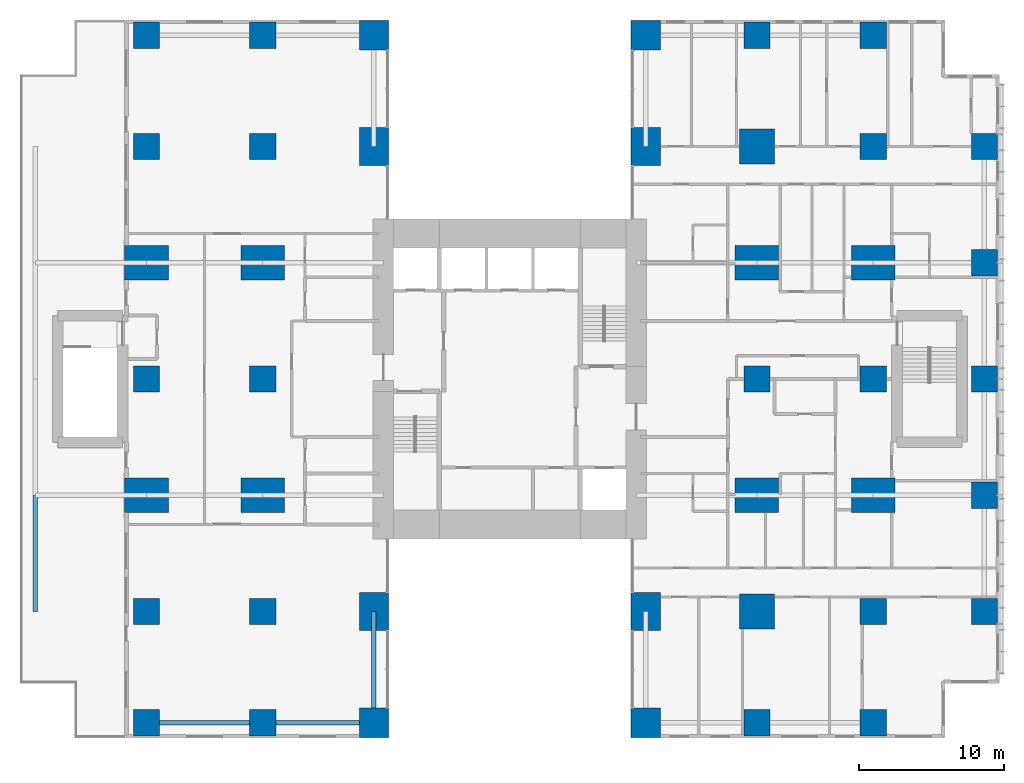
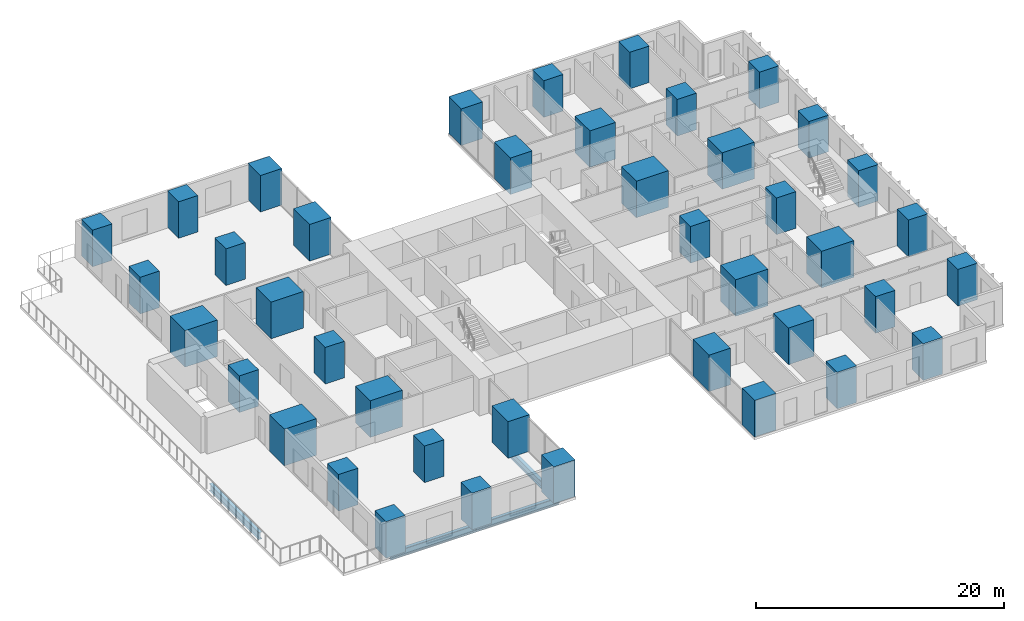
# One storey, part 1 of 16: 41 columns, 4 beams.
"""IFC4 building model written with IfcOpenShell, lengths in metres."""

from ifc_helpers import new_model, si_unit, direction, frame, origin, origin_2d, place, context, subcontext, project, spatial, rectangle, i_section, extrude, material, material_profile, profile_set, type_object, element, save


model = new_model("IFC4")

# Units and contexts
model_context = context("Model", 3, precision=1e-05, world=origin(), true_north=direction((0.0, 1.0)))
body_context = subcontext(model_context, "Body", "Model", "MODEL_VIEW")
ifc_project = project(units=[si_unit("LENGTHUNIT", "METRE"), si_unit("AREAUNIT", "SQUARE_METRE"), si_unit("VOLUMEUNIT", "CUBIC_METRE"), si_unit("PLANEANGLEUNIT", "RADIAN"), si_unit("MASSUNIT", "GRAM", prefix="KILO")], contexts=[model_context])

# Site, building, storey
site_placement = place(None, origin())
site = spatial("IfcSite", under=ifc_project, at=site_placement, CompositionType="ELEMENT")
building_placement = place(site_placement, origin())
building = spatial("IfcBuilding", under=site, at=building_placement, Name="Cleftline Residences", CompositionType="ELEMENT")
storey_placement = place(building_placement, frame((0.0, 0.0, 218.199951171875)))
storey = spatial("IfcBuildingStorey", under=building, at=storey_placement, Name="L57", CompositionType="ELEMENT", Elevation=218.199951171875)

# Columns
ifc_material_1 = material(Name="Concrete B70", Category="concrete")
ifc_material_profile_1 = material_profile(ifc_material_1, rectangle(XDim=1.800048828125, YDim=1.800048828125, at=origin_2d()))
ifc_profile_set_1 = profile_set([ifc_material_profile_1], Name="Concrete B70")
column_type_1 = type_object("IfcColumnType", Name="COLUMN RC1800X1800", PredefinedType="COLUMN", material=ifc_profile_set_1)
for number, where, z_axis, x_axis, name in (
    (1, (8.0, 0.35009765625, 0.0), (0.0, 0.0, 1.0), (1.0, 0.0, 0.0), "Column C/4"),
    (2, (8.0, 8.0, 0.0), (0.0, 0.0, 1.0), (1.0, 0.0, 0.0), "Column D/4"),
    (3, (8.0, 24.0, 0.0), (0.0, 0.0, 1.0), (1.0, 0.0, 0.0), "Column F/4"),
    (4, (8.0, 40.0, 0.0), (0.0, 0.0, 1.0), (1.0, 0.0, 0.0), "Column H/4"),
    (5, (8.0, 47.64990234375, 0.0), (0.0, 0.0, 1.0), (1.0, 0.0, 0.0), "Column J/4"),
    (6, (16.0, 0.35009765625, 0.0), (0.0, 0.0, 1.0), (1.0, 0.0, 0.0), "Column C/5"),
    (7, (16.0, 8.0, 0.0), (0.0, 0.0, 1.0), (1.0, 0.0, 0.0), "Column D/5"),
    (8, (16.0, 24.0, 0.0), (0.0, 0.0, 1.0), (1.0, 0.0, 0.0), "Column F/5"),
    (9, (16.0, 40.0, 0.0), (0.0, 0.0, 1.0), (1.0, 0.0, 0.0), "Column H/5"),
    (10, (16.0, 47.64990234375, 0.0), (0.0, 0.0, 1.0), (1.0, 0.0, 0.0), "Column J/5"),
    (11, (50.0, 0.35009765625, 0.0), (0.0, 0.0, 1.0), (1.0, 0.0, 0.0), "Column C/9"),
    (12, (50.0, 24.0, 0.0), (0.0, 0.0, 1.0), (1.0, 0.0, 0.0), "Column F/9"),
    (13, (50.0, 47.64990234375, 0.0), (0.0, 0.0, 1.0), (1.0, 0.0, 0.0), "Column J/9"),
    (14, (58.0, 0.35009765625, 0.0), (0.0, 0.0, 1.0), (1.0, 0.0, 0.0), "Column C/10"),
    (15, (58.0, 8.0, 0.0), (0.0, 0.0, 1.0), (1.0, 0.0, 0.0), "Column D/10"),
    (16, (58.0, 24.0, 0.0), (0.0, 0.0, 1.0), (1.0, 0.0, 0.0), "Column F/10"),
    (17, (58.0, 40.0, 0.0), (0.0, 0.0, 1.0), (1.0, 0.0, 0.0), "Column H/10"),
    (18, (58.0, 47.64990234375, 0.0), (0.0, 0.0, 1.0), (1.0, 0.0, 0.0), "Column J/10"),
    (19, (65.64990234375, 8.0, 0.0), (0.0, 0.0, 1.0), (1.0, 0.0, 0.0), "Column D/11"),
    (20, (65.64990234375, 16.0, 0.0), (0.0, 0.0, 1.0), (1.0, 0.0, 0.0), "Column E/11"),
    (21, (65.64990234375, 24.0, 0.0), (0.0, 0.0, 1.0), (1.0, 0.0, 0.0), "Column F/11"),
    (22, (65.64990234375, 32.0, 0.0), (0.0, 0.0, 1.0), (1.0, 0.0, 0.0), "Column G/11"),
    (23, (65.64990234375, 40.0, 0.0), (0.0, 0.0, 1.0), (1.0, 0.0, 0.0), "Column H/11"),
):
    element("IfcColumn", number, at=place(storey_placement, frame(where, z_axis=z_axis, x_axis=x_axis)), inside=storey, type_object=column_type_1, Name=name, PredefinedType="COLUMN", context=body_context, shape_type="SweptSolid", body=[
        extrude(rectangle(XDim=1.800048828125, YDim=1.800048828125, at=origin_2d()), origin(), (0.0, 0.0, 1.0), 3.60009765625),
    ])
ifc_material_2 = material(Name="Concrete B70", Category="concrete")
ifc_material_profile_2 = material_profile(ifc_material_2, rectangle(XDim=2.0, YDim=2.0, at=origin_2d()))
ifc_profile_set_2 = profile_set([ifc_material_profile_2], Name="Concrete B70")
column_type_2 = type_object("IfcColumnType", Name="COLUMN RC2000X2000", PredefinedType="COLUMN", material=ifc_profile_set_2)
for number, where, z_axis, x_axis, name in (
    (24, (23.64990234375, 0.35009765625, 0.0), (0.0, 0.0, 1.0), (1.0, 0.0, 0.0), "Column C/6"),
    (25, (23.64990234375, 47.64990234375, 0.0), (0.0, 0.0, 1.0), (1.0, 0.0, 0.0), "Column J/6"),
    (26, (42.35009765625, 0.35009765625, 0.0), (0.0, 0.0, 1.0), (1.0, 0.0, 0.0), "Column C/8"),
    (27, (42.35009765625, 47.64990234375, 0.0), (0.0, 0.0, 1.0), (1.0, 0.0, 0.0), "Column J/8"),
):
    element("IfcColumn", number, at=place(storey_placement, frame(where, z_axis=z_axis, x_axis=x_axis)), inside=storey, type_object=column_type_2, Name=name, PredefinedType="COLUMN", context=body_context, shape_type="SweptSolid", body=[
        extrude(rectangle(XDim=2.0, YDim=2.0, at=origin_2d()), origin(), (0.0, 0.0, 1.0), 3.60009765625),
    ])
ifc_material_3 = material(Name="Concrete B70", Category="concrete")
ifc_material_profile_3 = material_profile(ifc_material_3, rectangle(XDim=2.0, YDim=2.60009765625, at=origin_2d()))
ifc_profile_set_3 = profile_set([ifc_material_profile_3], Name="Concrete B70")
column_type_3 = type_object("IfcColumnType", Name="COLUMN RC2000X2600", PredefinedType="COLUMN", material=ifc_profile_set_3)
for number, where, z_axis, x_axis, name in (
    (28, (23.64990234375, 8.0, 0.0), (0.0, 0.0, 1.0), (1.0, 0.0, 0.0), "Column D/6"),
    (29, (23.64990234375, 40.0, 0.0), (0.0, 0.0, 1.0), (1.0, 0.0, 0.0), "Column H/6"),
    (30, (42.35009765625, 8.0, 0.0), (0.0, 0.0, 1.0), (1.0, 0.0, 0.0), "Column D/8"),
    (31, (42.35009765625, 40.0, 0.0), (0.0, 0.0, 1.0), (1.0, 0.0, 0.0), "Column H/8"),
):
    element("IfcColumn", number, at=place(storey_placement, frame(where, z_axis=z_axis, x_axis=x_axis)), inside=storey, type_object=column_type_3, Name=name, PredefinedType="COLUMN", context=body_context, shape_type="SweptSolid", body=[
        extrude(rectangle(XDim=2.0, YDim=2.60009765625, at=origin_2d()), origin(), (0.0, 0.0, 1.0), 3.60009765625),
    ])
ifc_material_4 = material(Name="Concrete B70", Category="concrete")
ifc_material_profile_4 = material_profile(ifc_material_4, rectangle(XDim=2.39990234375, YDim=2.39990234375, at=origin_2d()))
ifc_profile_set_4 = profile_set([ifc_material_profile_4], Name="Concrete B70")
column_type_4 = type_object("IfcColumnType", Name="COLUMN RC2400X2400", PredefinedType="COLUMN", material=ifc_profile_set_4)
for number, where, z_axis, x_axis, name in (
    (32, (50.0, 8.0, 0.0), (0.0, 0.0, 1.0), (1.0, 0.0, 0.0), "Column D/9"),
    (33, (50.0, 40.0, 0.0), (0.0, 0.0, 1.0), (1.0, 0.0, 0.0), "Column H/9"),
):
    element("IfcColumn", number, at=place(storey_placement, frame(where, z_axis=z_axis, x_axis=x_axis)), inside=storey, type_object=column_type_4, Name=name, PredefinedType="COLUMN", context=body_context, shape_type="SweptSolid", body=[
        extrude(rectangle(XDim=2.39990234375, YDim=2.39990234375, at=origin_2d()), origin(), (0.0, 0.0, 1.0), 3.60009765625),
    ])
ifc_material_5 = material(Name="Concrete B70", Category="concrete")
ifc_material_profile_5 = material_profile(ifc_material_5, rectangle(XDim=3.0, YDim=2.39990234375, at=origin_2d()))
ifc_profile_set_5 = profile_set([ifc_material_profile_5], Name="Concrete B70")
column_type_5 = type_object("IfcColumnType", Name="COLUMN RC3000X2400", PredefinedType="COLUMN", material=ifc_profile_set_5)
for number, where, z_axis, x_axis, name in (
    (34, (8.0, 16.0, 0.0), (0.0, 0.0, 1.0), (1.0, 0.0, 0.0), "Column E/4"),
    (35, (8.0, 32.0, 0.0), (0.0, 0.0, 1.0), (1.0, 0.0, 0.0), "Column G/4"),
    (36, (16.0, 16.0, 0.0), (0.0, 0.0, 1.0), (1.0, 0.0, 0.0), "Column E/5"),
    (37, (16.0, 32.0, 0.0), (0.0, 0.0, 1.0), (1.0, 0.0, 0.0), "Column G/5"),
    (38, (50.0, 16.0, 0.0), (0.0, 0.0, 1.0), (1.0, 0.0, 0.0), "Column E/9"),
    (39, (50.0, 32.0, 0.0), (0.0, 0.0, 1.0), (1.0, 0.0, 0.0), "Column G/9"),
    (40, (58.0, 16.0, 0.0), (0.0, 0.0, 1.0), (1.0, 0.0, 0.0), "Column E/10"),
    (41, (58.0, 32.0, 0.0), (0.0, 0.0, 1.0), (1.0, 0.0, 0.0), "Column G/10"),
):
    element("IfcColumn", number, at=place(storey_placement, frame(where, z_axis=z_axis, x_axis=x_axis)), inside=storey, type_object=column_type_5, Name=name, PredefinedType="COLUMN", context=body_context, shape_type="SweptSolid", body=[
        extrude(rectangle(XDim=3.0, YDim=2.39990234375, at=origin_2d()), origin(), (0.0, 0.0, 1.0), 3.60009765625),
    ])

# Beams
ifc_material_6 = material(Name="Steel S355", Category="steel")
ifc_material_profile_6 = material_profile(ifc_material_6, i_section(OverallWidth=0.300048828125, OverallDepth=0.699951171875, WebThickness=0.01708984375, FlangeThickness=0.031982421875, FilletRadius=0.027099609375, at=origin_2d()))
ifc_profile_set_6 = profile_set([ifc_material_profile_6], Name="Steel S355")
beam_type = type_object("IfcBeamType", Name="BEAM HEB 700", PredefinedType="BEAM", material=ifc_profile_set_6)
for number, where, z_axis, x_axis, name in (
    (42, (0.35009765625, 8.0, -0.599853515625), (0.0, 1.0, 0.0), (-1.0, 0.0, 0.0), "Edge beam"),
    (43, (8.0, 0.35009765625, -0.599853515625), (1.0, 0.0, 0.0), (0.0, 1.0, 0.0), "Edge beam"),
):
    element("IfcBeam", number, at=place(storey_placement, frame(where, z_axis=z_axis, x_axis=x_axis)), inside=storey, type_object=beam_type, Name=name, PredefinedType="BEAM", context=body_context, shape_type="SweptSolid", body=[
        extrude(i_section(OverallWidth=0.300048828125, OverallDepth=0.699951171875, WebThickness=0.01708984375, FlangeThickness=0.031982421875, FilletRadius=0.027099609375, at=origin_2d()), origin(), (0.0, 0.0, 1.0), 8.0),
    ])
for number, where, z_axis, x_axis, name in (
    (44, (16.0, 0.35009765625, -0.599853515625), (1.0, 0.0, 0.0), (0.0, 1.0, 0.0), "Edge beam"),
    (45, (23.64990234375, 0.35009765625, -0.599853515625), (0.0, 1.0, 0.0), (-1.0, 0.0, 0.0), "Edge beam"),
):
    element("IfcBeam", number, at=place(storey_placement, frame(where, z_axis=z_axis, x_axis=x_axis)), inside=storey, type_object=beam_type, Name=name, PredefinedType="BEAM", context=body_context, shape_type="SweptSolid", body=[
        extrude(i_section(OverallWidth=0.300048828125, OverallDepth=0.699951171875, WebThickness=0.01708984375, FlangeThickness=0.031982421875, FilletRadius=0.027099609375, at=origin_2d()), origin(), (0.0, 0.0, 1.0), 7.64990234375),
    ])

save(model, "model.ifc")
